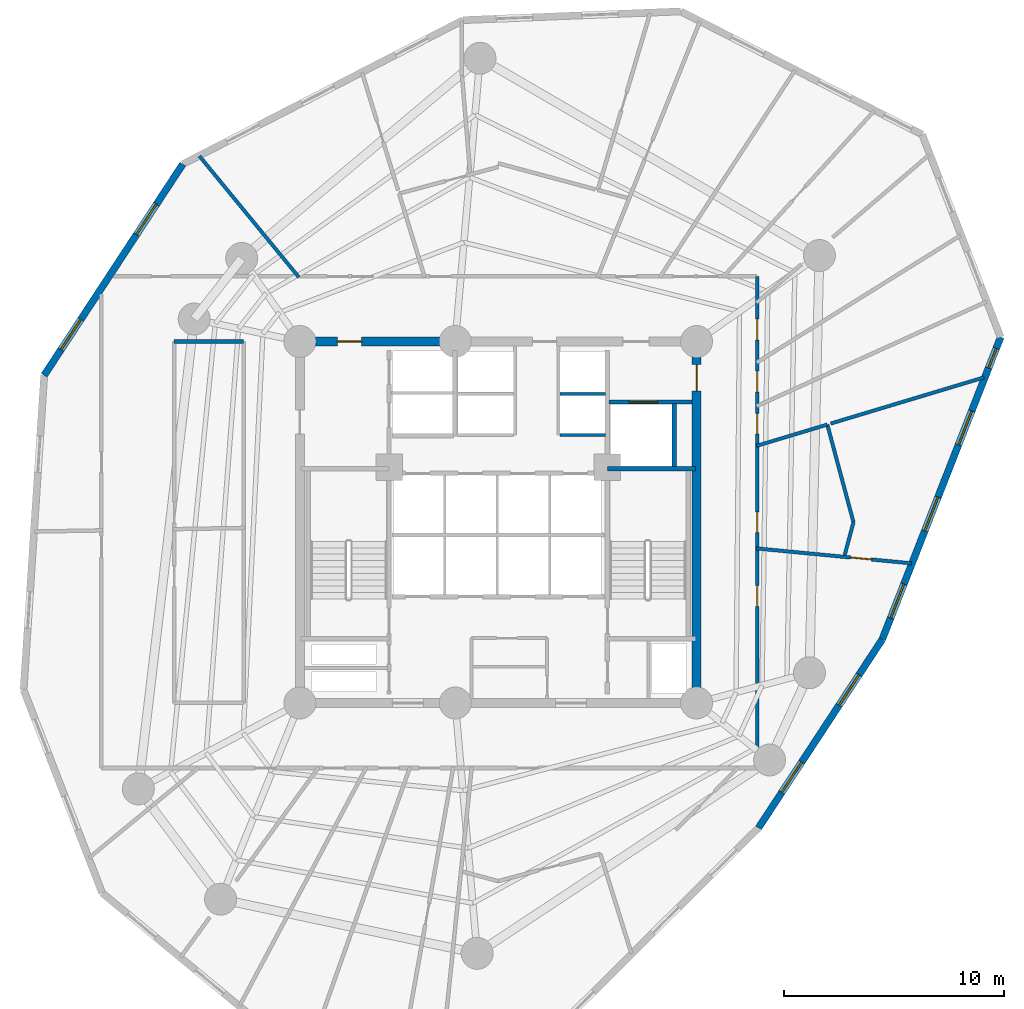
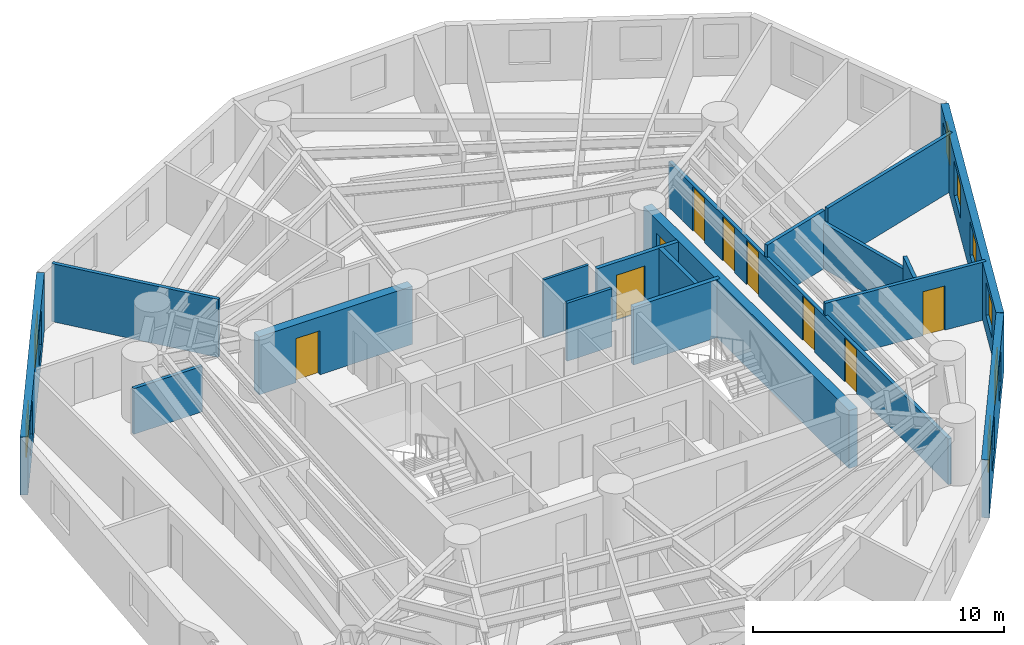
# One storey, part 5 of 8: 18 walls, 9 doors, 8 windows, 17 openings.
"""IFC4 building model written with IfcOpenShell, lengths in metres."""

from ifc_helpers import new_model, si_unit, direction, frame, frame_2d, origin, origin_with_axes, place, context, subcontext, project, spatial, rectangle, extrude, source, transform, mapped, material, layer, layer_set, type_object, element, fill, save


model = new_model("IFC4")

# Units and contexts
model_context = context("Model", 3, precision=1e-05, world=origin(), true_north=direction((0.0, 1.0)))
body_context = subcontext(model_context, "Body", "Model", "MODEL_VIEW")
ifc_project = project(units=[si_unit("LENGTHUNIT", "METRE"), si_unit("AREAUNIT", "SQUARE_METRE"), si_unit("VOLUMEUNIT", "CUBIC_METRE"), si_unit("PLANEANGLEUNIT", "RADIAN"), si_unit("MASSUNIT", "GRAM", prefix="KILO")], contexts=[model_context])

# Site, building, storey
site_placement = place(None, origin())
site = spatial("IfcSite", under=ifc_project, at=site_placement, CompositionType="ELEMENT")
building_placement = place(site_placement, origin())
building = spatial("IfcBuilding", under=site, at=building_placement, Name="Karkom Vertical University and Central Library", CompositionType="ELEMENT")
storey_placement = place(building_placement, frame((0.0, 0.0, 105.35009765625)))
storey = spatial("IfcBuildingStorey", under=building, at=storey_placement, Name="L28", CompositionType="ELEMENT", Elevation=105.35009765625)

# Wall, openings, windows
ifc_material_1 = material(Name="Brick-faced precast concrete C45/55", Category="masonry")
ifc_layer_1 = layer(ifc_material_1, 0.320068359375)
ifc_layer_set_1 = layer_set([ifc_layer_1], Name="Brick-faced precast concrete C45/55")
wall_type_1 = type_object("IfcWallType", Name="ENV-WL-BRK-320", PredefinedType="SOLIDWALL", material=ifc_layer_set_1)
wall_1_placement = place(storey_placement, frame((14.190185546875, 42.7509765625, 0.0), z_axis=(0.0, 0.0, 1.0), x_axis=(-0.548741077454, -0.835992362354, 0.0)))
wall_1 = element("IfcWall", 1, at=wall_1_placement, inside=storey, type_object=wall_type_1, Name="Level 28 Brick-Faced Precast Facade Wall 01", PredefinedType="SOLIDWALL", context=body_context, shape_type="SweptSolid", body=[
    extrude(rectangle(XDim=11.467041015625, YDim=0.320068359375, at=frame_2d((5.7333984375, 0.0))), origin(), (0.0, 0.0, 1.0), 2.824951171875),
])
opening_1_placement = place(wall_1_placement, frame((2.177001953125, 0.0, 0.85009765625)))
opening_1 = element("IfcOpeningElement", 2, at=opening_1_placement, cuts=wall_1, Name="Opening WN-06", PredefinedType="OPENING", context=body_context, shape_type="SweptSolid", body=[
    extrude(rectangle(XDim=1.64990234375, YDim=1.64990234375, at=frame_2d((0.824951171875, 0.824951171875))), frame((0.0, 0.169921875, 0.0), z_axis=(0.0, -1.0, 0.0), x_axis=(1.0, 0.0, 0.0)), (0.0, 0.0, 1.0), 0.340087890625),
])
opening_2_placement = place(wall_1_placement, frame((8.423828125, 0.0, 0.85009765625)))
opening_2 = element("IfcOpeningElement", 3, at=opening_2_placement, cuts=wall_1, Name="Opening WN-06", PredefinedType="OPENING", context=body_context, shape_type="SweptSolid", body=[
    extrude(rectangle(XDim=1.64990234375, YDim=1.64990234375, at=frame_2d((0.824951171875, 0.824951171875))), frame((0.0, 0.169921875, 0.0), z_axis=(0.0, -1.0, 0.0), x_axis=(1.0, 0.0, 0.0)), (0.0, 0.0, 1.0), 0.340087890625),
])
ifc_material_2 = material(Name="Aluminium thermal-break frame with solar-control IGU", Category="aluminium")
window_type_1 = type_object("IfcWindowType", Name="ENV-WIN-WN-06", PartitioningType="SINGLE_PANEL", PredefinedType="WINDOW", material=ifc_material_2)
shared_shape_1 = source(origin_with_axes(), body_context, "Body", "SweptSolid", [
    extrude(rectangle(XDim=1.64990234375, YDim=1.64990234375, at=frame_2d((0.824951171875, 0.824951171875))), frame((0.0, 0.030029296875, 0.0), z_axis=(0.0, -1.0, 0.0), x_axis=(1.0, 0.0, 0.0)), (0.0, 0.0, 1.0), 0.06005859375),
])
window_1_placement = place(opening_1_placement, origin())
window_1 = element("IfcWindow", 4, at=window_1_placement, inside=storey, type_object=window_type_1, Name="Level 28 Punched Window 1.1", OverallHeight=1.64990234375, OverallWidth=1.64990234375, PartitioningType="SINGLE_PANEL", PredefinedType="WINDOW", context=body_context, shape_type="MappedRepresentation", body=[
    mapped(shared_shape_1, transform((0.0, 0.0, 0.0), scale=1.0)),
])
fill(opening_1, window_1)
window_2_placement = place(opening_2_placement, origin())
window_2 = element("IfcWindow", 5, at=window_2_placement, inside=storey, type_object=window_type_1, Name="Level 28 Punched Window 1.2", OverallHeight=1.64990234375, OverallWidth=1.64990234375, PartitioningType="SINGLE_PANEL", PredefinedType="WINDOW", context=body_context, shape_type="MappedRepresentation", body=[
    mapped(shared_shape_1, transform((0.0, 0.0, 0.0), scale=1.0)),
])
fill(opening_2, window_2)

wall_2_placement = place(storey_placement, frame((40.307373046875, 12.626708984375, 0.0), z_axis=(0.0, 0.0, 1.0), x_axis=(0.548726236676, 0.836002103576, 0.0)))
wall_2 = element("IfcWall", 6, at=wall_2_placement, inside=storey, type_object=wall_type_1, Name="Level 28 Brick-Faced Precast Facade Wall 07", PredefinedType="SOLIDWALL", context=body_context, shape_type="SweptSolid", body=[
    extrude(rectangle(XDim=10.238037109375, YDim=0.320068359375, at=frame_2d((5.119140625, 0.0))), origin(), (0.0, 0.0, 1.0), 2.824951171875),
])
opening_3_placement = place(wall_2_placement, frame((1.924560546875, 0.0, 0.85009765625)))
opening_3 = element("IfcOpeningElement", 7, at=opening_3_placement, cuts=wall_2, Name="Opening WN-06", PredefinedType="OPENING", context=body_context, shape_type="SweptSolid", body=[
    extrude(rectangle(XDim=1.64990234375, YDim=1.64990234375, at=frame_2d((0.824951171875, 0.824951171875))), frame((0.0, 0.169921875, 0.0), z_axis=(0.0, -1.0, 0.0), x_axis=(1.0, 0.0, 0.0)), (0.0, 0.0, 1.0), 0.340087890625),
])
opening_4_placement = place(wall_2_placement, frame((6.66357421875, 0.0, 0.85009765625)))
opening_4 = element("IfcOpeningElement", 8, at=opening_4_placement, cuts=wall_2, Name="Opening WN-06", PredefinedType="OPENING", context=body_context, shape_type="SweptSolid", body=[
    extrude(rectangle(XDim=1.64990234375, YDim=1.64990234375, at=frame_2d((0.824951171875, 0.824951171875))), frame((0.0, 0.169921875, 0.0), z_axis=(0.0, -1.0, 0.0), x_axis=(1.0, 0.0, 0.0)), (0.0, 0.0, 1.0), 0.340087890625),
])
window_3_placement = place(opening_3_placement, origin())
window_3 = element("IfcWindow", 9, at=window_3_placement, inside=storey, type_object=window_type_1, Name="Level 28 Punched Window 7.1", OverallHeight=1.64990234375, OverallWidth=1.64990234375, PartitioningType="SINGLE_PANEL", PredefinedType="WINDOW", context=body_context, shape_type="MappedRepresentation", body=[
    mapped(shared_shape_1, transform((0.0, 0.0, 0.0), scale=1.0)),
])
fill(opening_3, window_3)
window_4_placement = place(opening_4_placement, origin())
window_4 = element("IfcWindow", 10, at=window_4_placement, inside=storey, type_object=window_type_1, Name="Level 28 Punched Window 7.2", OverallHeight=1.64990234375, OverallWidth=1.64990234375, PartitioningType="SINGLE_PANEL", PredefinedType="WINDOW", context=body_context, shape_type="MappedRepresentation", body=[
    mapped(shared_shape_1, transform((0.0, 0.0, 0.0), scale=1.0)),
])
fill(opening_4, window_4)

wall_3_placement = place(storey_placement, frame((45.92529296875, 21.185791015625, 0.0), z_axis=(0.0, 0.0, 1.0), x_axis=(0.364698725117, 0.931125576868, 0.0)))
wall_3 = element("IfcWall", 11, at=wall_3_placement, inside=storey, type_object=wall_type_1, Name="Level 28 Brick-Faced Precast Facade Wall 08", PredefinedType="SOLIDWALL", context=body_context, shape_type="SweptSolid", body=[
    extrude(rectangle(XDim=14.7275390625, YDim=0.320068359375, at=frame_2d((7.36376953125, 0.0))), origin(), (0.0, 0.0, 1.0), 2.824951171875),
])
opening_5_placement = place(wall_3_placement, frame((1.04736328125, 0.0, 0.85009765625)))
opening_5 = element("IfcOpeningElement", 12, at=opening_5_placement, cuts=wall_3, Name="Opening WN-06", PredefinedType="OPENING", context=body_context, shape_type="SweptSolid", body=[
    extrude(rectangle(XDim=1.64990234375, YDim=1.64990234375, at=frame_2d((0.824951171875, 0.824951171875))), frame((0.0, 0.169921875, 0.0), z_axis=(0.0, -1.0, 0.0), x_axis=(1.0, 0.0, 0.0)), (0.0, 0.0, 1.0), 0.340087890625),
])
opening_6_placement = place(wall_3_placement, frame((5.280029296875, 0.0, 0.85009765625)))
opening_6 = element("IfcOpeningElement", 13, at=opening_6_placement, cuts=wall_3, Name="Opening WN-06", PredefinedType="OPENING", context=body_context, shape_type="SweptSolid", body=[
    extrude(rectangle(XDim=1.64990234375, YDim=1.64990234375, at=frame_2d((0.824951171875, 0.824951171875))), frame((0.0, 0.169921875, 0.0), z_axis=(0.0, -1.0, 0.0), x_axis=(1.0, 0.0, 0.0)), (0.0, 0.0, 1.0), 0.340087890625),
])
opening_7_placement = place(wall_3_placement, frame((9.480712890625, 0.0, 0.85009765625)))
opening_7 = element("IfcOpeningElement", 14, at=opening_7_placement, cuts=wall_3, Name="Opening WN-06", PredefinedType="OPENING", context=body_context, shape_type="SweptSolid", body=[
    extrude(rectangle(XDim=1.64990234375, YDim=1.64990234375, at=frame_2d((0.824951171875, 0.824951171875))), frame((0.0, 0.169921875, 0.0), z_axis=(0.0, -1.0, 0.0), x_axis=(1.0, 0.0, 0.0)), (0.0, 0.0, 1.0), 0.340087890625),
])
opening_8_placement = place(wall_3_placement, frame((13.221923828125, 0.0, 0.85009765625)))
opening_8 = element("IfcOpeningElement", 15, at=opening_8_placement, cuts=wall_3, Name="Opening WN-12", PredefinedType="OPENING", context=body_context, shape_type="SweptSolid", body=[
    extrude(rectangle(XDim=0.949951171875, YDim=1.5, at=frame_2d((0.47509765625, 0.75))), frame((0.0, 0.169921875, 0.0), z_axis=(0.0, -1.0, 0.0), x_axis=(1.0, 0.0, 0.0)), (0.0, 0.0, 1.0), 0.340087890625),
])
window_5_placement = place(opening_5_placement, origin())
window_5 = element("IfcWindow", 16, at=window_5_placement, inside=storey, type_object=window_type_1, Name="Level 28 Punched Window 8.1", OverallHeight=1.64990234375, OverallWidth=1.64990234375, PartitioningType="SINGLE_PANEL", PredefinedType="WINDOW", context=body_context, shape_type="MappedRepresentation", body=[
    mapped(shared_shape_1, transform((0.0, 0.0, 0.0), scale=1.0)),
])
fill(opening_5, window_5)
window_6_placement = place(opening_6_placement, origin())
window_6 = element("IfcWindow", 17, at=window_6_placement, inside=storey, type_object=window_type_1, Name="Level 28 Punched Window 8.2", OverallHeight=1.64990234375, OverallWidth=1.64990234375, PartitioningType="SINGLE_PANEL", PredefinedType="WINDOW", context=body_context, shape_type="MappedRepresentation", body=[
    mapped(shared_shape_1, transform((0.0, 0.0, 0.0), scale=1.0)),
])
fill(opening_6, window_6)
window_7_placement = place(opening_7_placement, origin())
window_7 = element("IfcWindow", 18, at=window_7_placement, inside=storey, type_object=window_type_1, Name="Level 28 Punched Window 8.3", OverallHeight=1.64990234375, OverallWidth=1.64990234375, PartitioningType="SINGLE_PANEL", PredefinedType="WINDOW", context=body_context, shape_type="MappedRepresentation", body=[
    mapped(shared_shape_1, transform((0.0, 0.0, 0.0), scale=1.0)),
])
fill(opening_7, window_7)
window_type_2 = type_object("IfcWindowType", Name="ENV-WIN-WN-12", PartitioningType="SINGLE_PANEL", PredefinedType="WINDOW", material=ifc_material_2)
shared_shape_2 = source(origin_with_axes(), body_context, "Body", "SweptSolid", [
    extrude(rectangle(XDim=0.949951171875, YDim=1.5, at=frame_2d((0.47509765625, 0.75))), frame((0.0, 0.030029296875, 0.0), z_axis=(0.0, -1.0, 0.0), x_axis=(1.0, 0.0, 0.0)), (0.0, 0.0, 1.0), 0.06005859375),
])
window_8_placement = place(opening_8_placement, origin())
window_8 = element("IfcWindow", 19, at=window_8_placement, inside=storey, type_object=window_type_2, Name="Level 28 Punched Window 8.4", OverallHeight=1.5, OverallWidth=0.949951171875, PartitioningType="SINGLE_PANEL", PredefinedType="WINDOW", context=body_context, shape_type="MappedRepresentation", body=[
    mapped(shared_shape_2, transform((0.0, 0.0, 0.0), scale=1.0)),
])
fill(opening_8, window_8)

# Wall, openings, doors
ifc_material_3 = material(Name="Insulated metal-stud drywall 160mm", Category="gypsum")
ifc_layer_2 = layer(ifc_material_3, 0.159912109375)
ifc_layer_set_2 = layer_set([ifc_layer_2], Name="Insulated metal-stud drywall 160mm")
wall_type_2 = type_object("IfcWallType", Name="INT-WL-COR-160", PredefinedType="PARTITIONING", material=ifc_layer_set_2)
wall_4_placement = place(storey_placement, frame((40.25, 37.64990234375, 0.0), z_axis=(0.0, 0.0, 1.0), x_axis=(0.0, -1.0, 0.0)))
wall_4 = element("IfcWall", 20, at=wall_4_placement, inside=storey, type_object=wall_type_2, Name="Level 28 Interior Partition Wall L28-CORW-CW-004", PredefinedType="PARTITIONING", context=body_context, shape_type="SweptSolid", body=[
    extrude(rectangle(XDim=22.2998046875, YDim=0.159912109375, at=frame_2d((11.14990234375, 0.0))), origin(), (0.0, 0.0, 1.0), 2.224853515625),
])
opening_9_placement = place(wall_4_placement, frame((14.02001953125, 0.0, 0.0)))
opening_9 = element("IfcOpeningElement", 21, at=opening_9_placement, cuts=wall_4, Name="Opening D-RM1", PredefinedType="OPENING", context=body_context, shape_type="SweptSolid", body=[
    extrude(rectangle(XDim=0.949951171875, YDim=2.14990234375, at=frame_2d((0.47509765625, 1.074951171875))), frame((0.0, 0.08984375, 0.0), z_axis=(0.0, -1.0, 0.0), x_axis=(1.0, 0.0, 0.0)), (0.0, 0.0, 1.0), 0.179931640625),
])
opening_10_placement = place(wall_4_placement, frame((10.675048828125, 0.0, 0.0)))
opening_10 = element("IfcOpeningElement", 22, at=opening_10_placement, cuts=wall_4, Name="Opening D-RM1", PredefinedType="OPENING", context=body_context, shape_type="SweptSolid", body=[
    extrude(rectangle(XDim=0.949951171875, YDim=2.14990234375, at=frame_2d((0.47509765625, 1.074951171875))), frame((0.0, 0.08984375, 0.0), z_axis=(0.0, -1.0, 0.0), x_axis=(1.0, 0.0, 0.0)), (0.0, 0.0, 1.0), 0.179931640625),
])
opening_11_placement = place(wall_4_placement, frame((6.206787109375, 0.0, 0.0)))
opening_11 = element("IfcOpeningElement", 23, at=opening_11_placement, cuts=wall_4, Name="Opening D-RM1", PredefinedType="OPENING", context=body_context, shape_type="SweptSolid", body=[
    extrude(rectangle(XDim=0.949951171875, YDim=2.14990234375, at=frame_2d((0.47509765625, 1.074951171875))), frame((0.0, 0.08984375, 0.0), z_axis=(0.0, -1.0, 0.0), x_axis=(1.0, 0.0, 0.0)), (0.0, 0.0, 1.0), 0.179931640625),
])
opening_12_placement = place(wall_4_placement, frame((4.29833984375, 0.0, 0.0)))
opening_12 = element("IfcOpeningElement", 24, at=opening_12_placement, cuts=wall_4, Name="Opening D-RM1", PredefinedType="OPENING", context=body_context, shape_type="SweptSolid", body=[
    extrude(rectangle(XDim=0.949951171875, YDim=2.14990234375, at=frame_2d((0.47509765625, 1.074951171875))), frame((0.0, 0.08984375, 0.0), z_axis=(0.0, -1.0, 0.0), x_axis=(1.0, 0.0, 0.0)), (0.0, 0.0, 1.0), 0.179931640625),
])
opening_13_placement = place(wall_4_placement, frame((1.922607421875, 0.0, 0.0)))
opening_13 = element("IfcOpeningElement", 25, at=opening_13_placement, cuts=wall_4, Name="Opening FD-RM2", PredefinedType="OPENING", context=body_context, shape_type="SweptSolid", body=[
    extrude(rectangle(XDim=0.9599609375, YDim=2.14990234375, at=frame_2d((0.47998046875, 1.074951171875))), frame((0.0, 0.08984375, 0.0), z_axis=(0.0, -1.0, 0.0), x_axis=(1.0, 0.0, 0.0)), (0.0, 0.0, 1.0), 0.179931640625),
])
ifc_material_4 = material(Name="Fire-rated oak veneer door", Category="wood")
door_type_1 = type_object("IfcDoorType", Name="INT-DR-FRM2", OperationType="NOTDEFINED", PredefinedType="DOOR", material=ifc_material_4)
shared_shape_3 = source(origin_with_axes(), body_context, "Body", "SweptSolid", [
    extrude(rectangle(XDim=0.9599609375, YDim=2.14990234375, at=frame_2d((0.47998046875, 1.074951171875))), frame((0.0, 0.02490234375, 0.0), z_axis=(0.0, -1.0, 0.0), x_axis=(1.0, 0.0, 0.0)), (0.0, 0.0, 1.0), 0.050048828125),
])
door_1_placement = place(opening_13_placement, origin())
door_1 = element("IfcDoor", 26, at=door_1_placement, inside=storey, type_object=door_type_1, Name="Level 28 Room Entry Door 150", OperationType="SINGLE_SWING_RIGHT", OverallHeight=2.14990234375, OverallWidth=0.9599609375, PredefinedType="DOOR", context=body_context, shape_type="MappedRepresentation", body=[
    mapped(shared_shape_3, transform((0.0, 0.0, 0.0), scale=1.0)),
])
fill(opening_13, door_1)
ifc_material_5 = material(Name="Solid-core oak veneer door", Category="wood")
door_type_2 = type_object("IfcDoorType", Name="INT-DR-RM1", OperationType="NOTDEFINED", PredefinedType="DOOR", material=ifc_material_5)
shared_shape_4 = source(origin_with_axes(), body_context, "Body", "SweptSolid", [
    extrude(rectangle(XDim=0.949951171875, YDim=2.14990234375, at=frame_2d((0.47509765625, 1.074951171875))), frame((0.0, 0.02490234375, 0.0), z_axis=(0.0, -1.0, 0.0), x_axis=(1.0, 0.0, 0.0)), (0.0, 0.0, 1.0), 0.050048828125),
])
door_2_placement = place(opening_9_placement, origin())
door_2 = element("IfcDoor", 27, at=door_2_placement, inside=storey, type_object=door_type_2, Name="Level 28 Room Entry Door 100", OperationType="SINGLE_SWING_RIGHT", OverallHeight=2.14990234375, OverallWidth=0.949951171875, PredefinedType="DOOR", context=body_context, shape_type="MappedRepresentation", body=[
    mapped(shared_shape_4, transform((0.0, 0.0, 0.0), scale=1.0)),
])
fill(opening_9, door_2)
door_3_placement = place(opening_10_placement, origin())
door_3 = element("IfcDoor", 28, at=door_3_placement, inside=storey, type_object=door_type_2, Name="Level 28 Room Entry Door 110", OperationType="SINGLE_SWING_LEFT", OverallHeight=2.14990234375, OverallWidth=0.949951171875, PredefinedType="DOOR", context=body_context, shape_type="MappedRepresentation", body=[
    mapped(shared_shape_4, transform((0.0, 0.0, 0.0), scale=1.0)),
])
fill(opening_10, door_3)
door_4_placement = place(opening_11_placement, origin())
door_4 = element("IfcDoor", 29, at=door_4_placement, inside=storey, type_object=door_type_2, Name="Level 28 Room Entry Door 130", OperationType="SINGLE_SWING_RIGHT", OverallHeight=2.14990234375, OverallWidth=0.949951171875, PredefinedType="DOOR", context=body_context, shape_type="MappedRepresentation", body=[
    mapped(shared_shape_4, transform((0.0, 0.0, 0.0), scale=1.0)),
])
fill(opening_11, door_4)
door_5_placement = place(opening_12_placement, origin())
door_5 = element("IfcDoor", 30, at=door_5_placement, inside=storey, type_object=door_type_2, Name="Level 28 Room Entry Door 140", OperationType="SINGLE_SWING_LEFT", OverallHeight=2.14990234375, OverallWidth=0.949951171875, PredefinedType="DOOR", context=body_context, shape_type="MappedRepresentation", body=[
    mapped(shared_shape_4, transform((0.0, 0.0, 0.0), scale=1.0)),
])
fill(opening_12, door_5)

# Walls
wall_5_placement = place(storey_placement, frame((43.583251953125, 30.9765625, 0.0), z_axis=(0.0, 0.0, 1.0), x_axis=(0.957577055115, 0.288177347334, 0.0)))
element("IfcWall", 31, at=wall_5_placement, inside=storey, type_object=wall_type_2, Name="Level 28 Interior Partition Wall L28-PW-019", PredefinedType="PARTITIONING", context=body_context, shape_type="SweptSolid", body=[
    extrude(rectangle(XDim=7.262939453125, YDim=0.159912109375, at=frame_2d((3.63134765625, 0.0))), origin(), (0.0, 0.0, 1.0), 2.824951171875),
])
wall_6_placement = place(storey_placement, frame((19.456298828125, 37.615234375, 0.0), z_axis=(0.0, 0.0, 1.0), x_axis=(-0.634372400503, 0.773027591668, 0.0)))
element("IfcWall", 32, at=wall_6_placement, inside=storey, type_object=wall_type_2, Name="Level 28 Interior Partition Wall L28-PW-037", PredefinedType="PARTITIONING", context=body_context, shape_type="SweptSolid", body=[
    extrude(rectangle(XDim=7.108154296875, YDim=0.159912109375, at=frame_2d((3.55419921875, 0.0))), origin(), (0.0, 0.0, 1.0), 2.824951171875),
])

# Wall, opening, door
wall_7_placement = place(storey_placement, frame((40.22021484375, 25.31201171875, 0.0), z_axis=(0.0, 0.0, 1.0), x_axis=(0.995397172011, -0.095835640306, 0.0)))
wall_7 = element("IfcWall", 33, at=wall_7_placement, inside=storey, type_object=wall_type_2, Name="Level 28 Interior Partition Wall L28-PW-015", PredefinedType="PARTITIONING", context=body_context, shape_type="SweptSolid", body=[
    extrude(rectangle(XDim=7.05908203125, YDim=0.159912109375, at=frame_2d((3.529541015625, 0.0))), origin(), (0.0, 0.0, 1.0), 2.824951171875),
])
opening_14_placement = place(wall_7_placement, frame((4.28076171875, 0.0, 0.0)))
opening_14 = element("IfcOpeningElement", 34, at=opening_14_placement, cuts=wall_7, Name="Opening FD-RM2", PredefinedType="OPENING", context=body_context, shape_type="SweptSolid", body=[
    extrude(rectangle(XDim=0.9599609375, YDim=2.14990234375, at=frame_2d((0.47998046875, 1.074951171875))), frame((0.0, 0.08984375, 0.0), z_axis=(0.0, -1.0, 0.0), x_axis=(1.0, 0.0, 0.0)), (0.0, 0.0, 1.0), 0.179931640625),
])
door_6_placement = place(opening_14_placement, origin())
door_6 = element("IfcDoor", 35, at=door_6_placement, inside=storey, type_object=door_type_1, Name="Level 28 Room Entry Door 120", OperationType="SINGLE_SWING_RIGHT", OverallHeight=2.14990234375, OverallWidth=0.9599609375, PredefinedType="DOOR", context=body_context, shape_type="MappedRepresentation", body=[
    mapped(shared_shape_3, transform((0.0, 0.0, 0.0), scale=1.0)),
])
fill(opening_14, door_6)

# Walls
wall_8_placement = place(storey_placement, frame((43.43017578125, 30.930419921875, 0.0), z_axis=(0.0, 0.0, 1.0), x_axis=(0.258795505206, -0.965932133478, 0.0)))
element("IfcWall", 36, at=wall_8_placement, inside=storey, type_object=wall_type_2, Name="Level 28 Interior Partition Wall L28-PW-016", PredefinedType="PARTITIONING", context=body_context, shape_type="SweptSolid", body=[
    extrude(rectangle(XDim=4.586669921875, YDim=0.159912109375, at=frame_2d((2.29345703125, 0.0))), origin(), (0.0, 0.0, 1.0), 2.224853515625),
])
wall_9_placement = place(storey_placement, frame((40.22119140625, 29.964599609375, 0.0), z_axis=(0.0, 0.0, 1.0), x_axis=(0.957569249554, 0.288203282961, 0.0)))
element("IfcWall", 37, at=wall_9_placement, inside=storey, type_object=wall_type_2, Name="Level 28 Interior Partition Wall L28-PW-018", PredefinedType="PARTITIONING", context=body_context, shape_type="SweptSolid", body=[
    extrude(rectangle(XDim=3.35107421875, YDim=0.159912109375, at=frame_2d((1.675537109375, 0.0))), origin(), (0.0, 0.0, 1.0), 2.824951171875),
])
wall_10_placement = place(storey_placement, frame((16.949951171875, 34.699951171875, 0.0), z_axis=(0.0, 0.0, 1.0), x_axis=(-1.0, 0.0, 0.0)))
element("IfcWall", 38, at=wall_10_placement, inside=storey, type_object=wall_type_2, Name="Level 28 Interior Partition Wall L28-CORW-CW-005", PredefinedType="PARTITIONING", context=body_context, shape_type="SweptSolid", body=[
    extrude(rectangle(XDim=3.14990234375, YDim=0.159912109375, at=frame_2d((1.574951171875, 0.0))), origin(), (0.0, 0.0, 1.0), 2.224853515625),
])
wall_11_placement = place(storey_placement, frame((44.6171875, 26.5, 0.0), z_axis=(0.0, 0.0, 1.0), x_axis=(-0.258897414575, -0.965904823845, 0.0)))
element("IfcWall", 39, at=wall_11_placement, inside=storey, type_object=wall_type_2, Name="Level 28 Interior Partition Wall L28-PW-017", PredefinedType="PARTITIONING", context=body_context, shape_type="SweptSolid", body=[
    extrude(rectangle(XDim=1.5380859375, YDim=0.159912109375, at=frame_2d((0.76904296875, 0.0))), origin(), (0.0, 0.0, 1.0), 2.824951171875),
])
ifc_material_6 = material(Name="Moisture-resistant drywall 120mm", Category="gypsum")
ifc_layer_3 = layer(ifc_material_6, 0.1201171875)
ifc_layer_set_3 = layer_set([ifc_layer_3], Name="Moisture-resistant drywall 120mm")
wall_type_3 = type_object("IfcWallType", Name="INT-WL-INT-120H", PredefinedType="PARTITIONING", material=ifc_layer_set_3)
wall_12_placement = place(storey_placement, frame((31.300048828125, 32.320068359375, 0.0), z_axis=(0.0, 0.0, 1.0), x_axis=(1.0, 0.0, 0.0)))
element("IfcWall", 40, at=wall_12_placement, inside=storey, type_object=wall_type_3, Name="Level 28 Interior Partition Wall L28-CW-PH-ME", PredefinedType="PARTITIONING", context=body_context, shape_type="SweptSolid", body=[
    extrude(rectangle(XDim=2.074951171875, YDim=0.1201171875, at=frame_2d((1.03759765625, 0.0))), origin(), (0.0, 0.0, 1.0), 2.824951171875),
])
ifc_material_7 = material(Name="Metal-stud gypsum partition 140mm", Category="gypsum")
ifc_layer_4 = layer(ifc_material_7, 0.139892578125)
ifc_layer_set_4 = layer_set([ifc_layer_4], Name="Metal-stud gypsum partition 140mm")
wall_type_4 = type_object("IfcWallType", Name="INT-WL-SUB-140H", PredefinedType="PARTITIONING", material=ifc_layer_set_4)
wall_13_placement = place(storey_placement, frame((31.300048828125, 30.449951171875, 0.0), z_axis=(0.0, 0.0, 1.0), x_axis=(1.0, 0.0, 0.0)))
element("IfcWall", 41, at=wall_13_placement, inside=storey, type_object=wall_type_4, Name="Level 28 Interior Partition Wall L28-CW-PH-S2", PredefinedType="PARTITIONING", context=body_context, shape_type="SweptSolid", body=[
    extrude(rectangle(XDim=2.074951171875, YDim=0.139892578125, at=frame_2d((1.03759765625, 0.0))), origin(), (0.0, 0.0, 1.0), 2.824951171875),
])

# Wall, opening, door
ifc_material_8 = material(Name="Twin-stud acoustic drywall 180mm", Category="gypsum")
ifc_layer_5 = layer(ifc_material_8, 0.179931640625)
ifc_layer_set_5 = layer_set([ifc_layer_5], Name="Twin-stud acoustic drywall 180mm")
wall_type_5 = type_object("IfcWallType", Name="INT-WL-TEN-180F", PredefinedType="PARTITIONING", material=ifc_layer_set_5)
wall_14_placement = place(storey_placement, frame((33.534912109375, 31.949951171875, 0.0), z_axis=(0.0, 0.0, 1.0), x_axis=(1.0, 0.0, 0.0)))
wall_14 = element("IfcWall", 42, at=wall_14_placement, inside=storey, type_object=wall_type_5, Name="Level 28 Interior Partition Wall L28-CW-SVL-N", PredefinedType="PARTITIONING", context=body_context, shape_type="SweptSolid", body=[
    extrude(rectangle(XDim=3.7587890625, YDim=0.179931640625, at=frame_2d((1.87939453125, 0.0))), origin(), (0.0, 0.0, 1.0), 2.824951171875),
])
opening_15_placement = place(wall_14_placement, frame((0.89990234375, 0.0, 0.0)))
opening_15 = element("IfcOpeningElement", 43, at=opening_15_placement, cuts=wall_14, Name="Opening LD-SV1", PredefinedType="OPENING", context=body_context, shape_type="SweptSolid", body=[
    extrude(rectangle(XDim=1.300048828125, YDim=2.199951171875, at=frame_2d((0.64990234375, 1.10009765625))), frame((0.0, 0.10009765625, 0.0), z_axis=(0.0, -1.0, 0.0), x_axis=(1.0, 0.0, 0.0)), (0.0, 0.0, 1.0), 0.199951171875),
])
ifc_material_9 = material(Name="Brushed stainless-steel landing door", Category="steel")
door_type_3 = type_object("IfcDoorType", Name="INT-DR-LD-SV1", OperationType="SLIDING_TO_LEFT", PredefinedType="DOOR", material=ifc_material_9)
shared_shape_5 = source(origin_with_axes(), body_context, "Body", "SweptSolid", [
    extrude(rectangle(XDim=1.300048828125, YDim=2.199951171875, at=frame_2d((0.64990234375, 1.10009765625))), frame((0.0, 0.02490234375, 0.0), z_axis=(0.0, -1.0, 0.0), x_axis=(1.0, 0.0, 0.0)), (0.0, 0.0, 1.0), 0.050048828125),
])
door_7_placement = place(opening_15_placement, origin())
door_7 = element("IfcDoor", 44, at=door_7_placement, inside=storey, type_object=door_type_3, Name="Level 28 Service Lift Landing Door LD-SV1", OperationType="SLIDING_TO_LEFT", OverallHeight=2.199951171875, OverallWidth=1.300048828125, PredefinedType="DOOR", context=body_context, shape_type="MappedRepresentation", body=[
    mapped(shared_shape_5, transform((0.0, 0.0, 0.0), scale=1.0)),
])
fill(opening_15, door_7)

ifc_material_10 = material(Name="Concrete C50/60", Category="concrete")
ifc_layer_6 = layer(ifc_material_10, 0.39990234375)
ifc_layer_set_6 = layer_set([ifc_layer_6], Name="Concrete C50/60")
wall_type_6 = type_object("IfcWallType", Name="STR-WL-CW-400", PredefinedType="SHEAR", material=ifc_layer_set_6)
wall_15_placement = place(storey_placement, frame((37.5, 18.300048828125, 0.0), z_axis=(0.0, 0.0, 1.0), x_axis=(0.0, 1.0, 0.0)))
wall_15 = element("IfcWall", 45, at=wall_15_placement, inside=storey, type_object=wall_type_6, Name="Level 28 Central Core Shear Wall EW", PredefinedType="SHEAR", context=body_context, shape_type="SweptSolid", body=[
    extrude(rectangle(XDim=16.39990234375, YDim=0.39990234375, at=frame_2d((8.199951171875, 0.0))), origin(), (0.0, 0.0, 1.0), 2.824951171875),
])
opening_16_placement = place(wall_15_placement, frame((14.14990234375, 0.0, 0.0)))
opening_16 = element("IfcOpeningElement", 46, at=opening_16_placement, cuts=wall_15, Name="Opening FD-SUB1", PredefinedType="OPENING", context=body_context, shape_type="SweptSolid", body=[
    extrude(rectangle(XDim=1.199951171875, YDim=2.14990234375, at=frame_2d((0.60009765625, 1.074951171875))), frame((0.0, 0.2099609375, 0.0), z_axis=(0.0, -1.0, 0.0), x_axis=(1.0, 0.0, 0.0)), (0.0, 0.0, 1.0), 0.419921875),
])
ifc_material_11 = material(Name="Painted steel fire door", Category="steel")
door_type_4 = type_object("IfcDoorType", Name="INT-DR-SUB1", OperationType="NOTDEFINED", PredefinedType="DOOR", material=ifc_material_11)
shared_shape_6 = source(origin_with_axes(), body_context, "Body", "SweptSolid", [
    extrude(rectangle(XDim=1.199951171875, YDim=2.14990234375, at=frame_2d((0.60009765625, 1.074951171875))), frame((0.0, 0.02490234375, 0.0), z_axis=(0.0, -1.0, 0.0), x_axis=(1.0, 0.0, 0.0)), (0.0, 0.0, 1.0), 0.050048828125),
])
door_8_placement = place(opening_16_placement, origin())
door_8 = element("IfcDoor", 47, at=door_8_placement, inside=storey, type_object=door_type_4, Name="Level 28 East Corridor Service Lobby Door", OperationType="SINGLE_SWING_LEFT", OverallHeight=2.14990234375, OverallWidth=1.199951171875, PredefinedType="DOOR", context=body_context, shape_type="MappedRepresentation", body=[
    mapped(shared_shape_6, transform((0.0, 0.0, 0.0), scale=1.0)),
])
fill(opening_16, door_8)

wall_16_placement = place(storey_placement, frame((26.550048828125, 34.699951171875, 0.0), z_axis=(0.0, 0.0, 1.0), x_axis=(-1.0, 0.0, 0.0)))
wall_16 = element("IfcWall", 48, at=wall_16_placement, inside=storey, type_object=wall_type_6, Name="Level 28 Central Core Shear Wall NW2", PredefinedType="SHEAR", context=body_context, shape_type="SweptSolid", body=[
    extrude(rectangle(XDim=7.050048828125, YDim=0.39990234375, at=frame_2d((3.52490234375, 0.0))), origin(), (0.0, 0.0, 1.0), 2.824951171875),
])
opening_17_placement = place(wall_16_placement, frame((4.25, 0.0, 0.0)))
opening_17 = element("IfcOpeningElement", 49, at=opening_17_placement, cuts=wall_16, Name="Opening FD-FFL", PredefinedType="OPENING", context=body_context, shape_type="SweptSolid", body=[
    extrude(rectangle(XDim=1.10009765625, YDim=2.14990234375, at=frame_2d((0.550048828125, 1.074951171875))), frame((0.0, 0.2099609375, 0.0), z_axis=(0.0, -1.0, 0.0), x_axis=(1.0, 0.0, 0.0)), (0.0, 0.0, 1.0), 0.419921875),
])
ifc_material_12 = material(Name="Painted steel smoke-seal fire door", Category="steel")
door_type_5 = type_object("IfcDoorType", Name="INT-DR-FFL", OperationType="NOTDEFINED", PredefinedType="DOOR", material=ifc_material_12)
shared_shape_7 = source(origin_with_axes(), body_context, "Body", "SweptSolid", [
    extrude(rectangle(XDim=1.10009765625, YDim=2.14990234375, at=frame_2d((0.550048828125, 1.074951171875))), frame((0.0, 0.02490234375, 0.0), z_axis=(0.0, -1.0, 0.0), x_axis=(1.0, 0.0, 0.0)), (0.0, 0.0, 1.0), 0.050048828125),
])
door_9_placement = place(opening_17_placement, origin())
door_9 = element("IfcDoor", 50, at=door_9_placement, inside=storey, type_object=door_type_5, Name="Level 28 Firefighting Lobby Door", OperationType="SINGLE_SWING_LEFT", OverallHeight=2.14990234375, OverallWidth=1.10009765625, PredefinedType="DOOR", context=body_context, shape_type="MappedRepresentation", body=[
    mapped(shared_shape_7, transform((0.0, 0.0, 0.0), scale=1.0)),
])
fill(opening_17, door_9)

# Walls
ifc_material_13 = material(Name="Concrete C45/55", Category="concrete")
ifc_layer_7 = layer(ifc_material_13, 0.199951171875)
ifc_layer_set_7 = layer_set([ifc_layer_7], Name="Concrete C45/55")
wall_type_7 = type_object("IfcWallType", Name="STR-WL-ST-200", PredefinedType="SHEAR", material=ifc_layer_set_7)
wall_17_placement = place(storey_placement, frame((33.455078125, 28.925048828125, 0.0), z_axis=(0.0, 0.0, 1.0), x_axis=(1.0, 0.0, 0.0)))
element("IfcWall", 51, at=wall_17_placement, inside=storey, type_object=wall_type_7, Name="Level 28 Core Shaft Wall L28-CW-ST2-N", PredefinedType="SHEAR", context=body_context, shape_type="SweptSolid", body=[
    extrude(rectangle(XDim=3.994873046875, YDim=0.199951171875, at=frame_2d((1.99755859375, 0.0))), origin(), (0.0, 0.0, 1.0), 2.824951171875),
])
wall_18_placement = place(storey_placement, frame((36.47998046875, 29.02001953125, 0.0), z_axis=(0.0, 0.0, 1.0), x_axis=(0.0, 1.0, 0.0)))
element("IfcWall", 52, at=wall_18_placement, inside=storey, type_object=wall_type_7, Name="Level 28 Core Shaft Wall L28-CW-SVL-E", PredefinedType="SHEAR", context=body_context, shape_type="SweptSolid", body=[
    extrude(rectangle(XDim=2.85986328125, YDim=0.199951171875, at=frame_2d((1.429931640625, 0.0))), origin(), (0.0, 0.0, 1.0), 2.824951171875),
])

save(model, "model.ifc")
